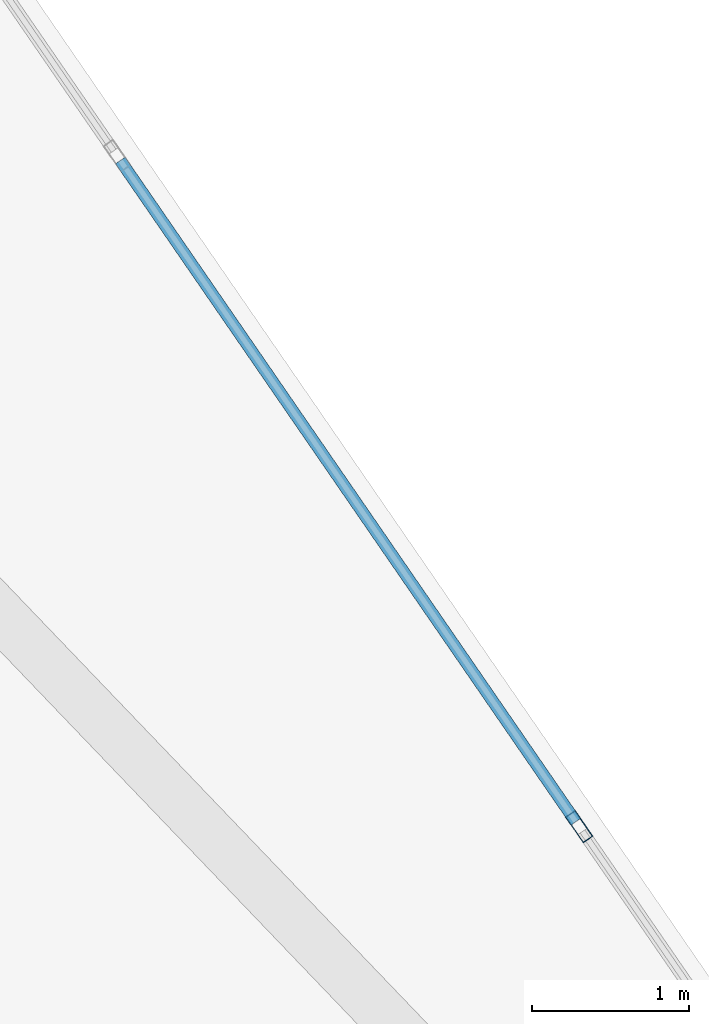
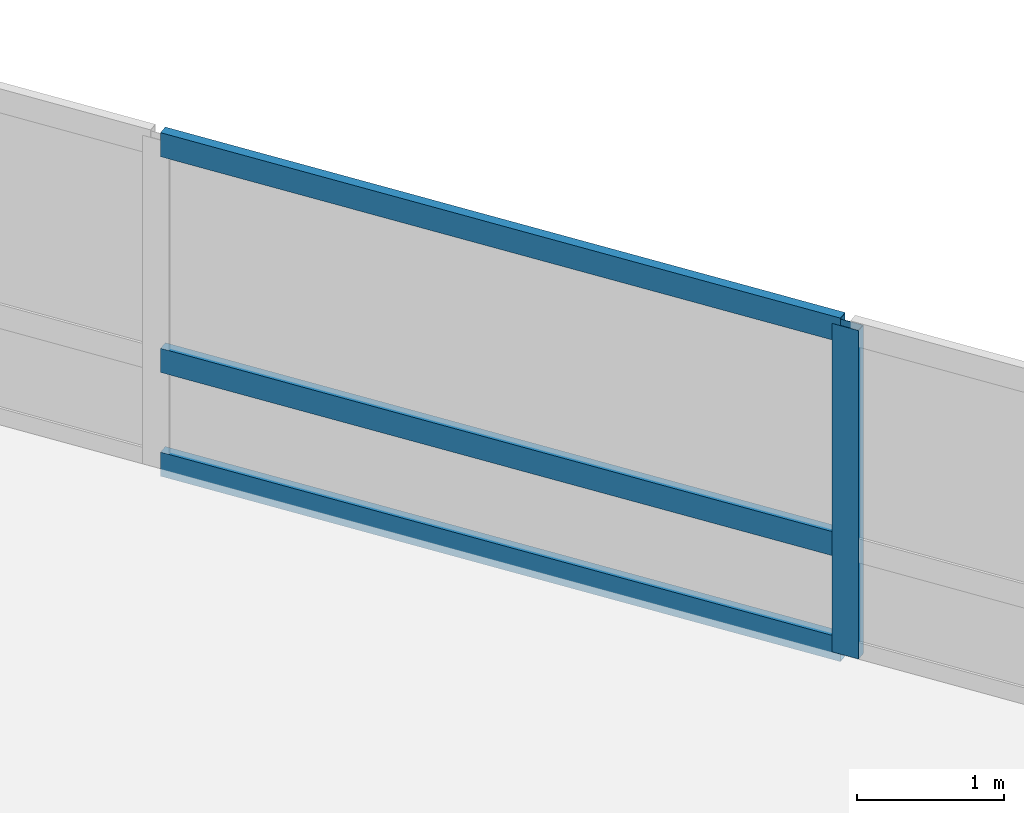
# One storey, part 8 of 22: 4 members, 1 element without a shape of its own.
"""IFC4 building model written with IfcOpenShell, lengths in metres."""

import ifcopenshell
import ifcopenshell.guid

model = None  # the IFC model being written
_history = None  # IfcOwnerHistory: only IFC2X3 demands one
_inside = {}  # id of a spatial element -> (the spatial element, [elements in it])
_under = {}  # id of a project, library or spatial element -> (it, [spatial elements below it])
_declared = {}  # id of a project -> (the project, [libraries it declares])
_typed = {}  # id of a type object -> (the type object, [elements of that type])
_made_of = {}  # id of a material, layer set ... -> (it, [elements and type objects made of it])


def new_model(schema):
    """Start an empty IFC model of exactly this schema.

    Asked for "IFC4X3", IfcOpenShell would pick the latest addendum, in which some entities
    have other attributes; the version numbers below select the first issue.
    IFC2X3 requires an IfcOwnerHistory on every rooted entity: one is made here for all.
    """
    global model, _history
    if schema == "IFC4X3":
        model = ifcopenshell.file(schema_version=(4, 3, 0, 0))
    else:
        model = ifcopenshell.file(schema=schema)
    _inside.clear()
    _under.clear()
    _declared.clear()
    _typed.clear()
    _made_of.clear()
    _history = None
    if model.schema == "IFC2X3":
        org = make("IfcOrganization", Name="unknown")
        user = make(
            "IfcPersonAndOrganization",
            ThePerson=make("IfcPerson", FamilyName="unknown"),
            TheOrganization=org,
        )
        app = make(
            "IfcApplication",
            ApplicationDeveloper=org,
            Version="unknown",
            ApplicationFullName="unknown",
            ApplicationIdentifier="unknown",
        )
        _history = make(
            "IfcOwnerHistory",
            OwningUser=user,
            OwningApplication=app,
            ChangeAction="ADDED",
            CreationDate=0,
        )
    return model


def make(cls, **values):
    """One entity of the class cls with the attributes given. An attribute that is None is left unset."""
    return model.create_entity(
        cls, **{name: value for name, value in values.items() if value is not None}
    )


def rooted(cls, **values):
    """An entity with a GlobalId (a new one), such as an element, a storey or a relation."""
    return make(cls, GlobalId=ifcopenshell.guid.new(), OwnerHistory=_history, **values)


def si_unit(unit_type, name, prefix=None):
    """IfcSIUnit, for example si_unit("LENGTHUNIT", "METRE", prefix="MILLI")."""
    return make("IfcSIUnit", UnitType=unit_type, Prefix=prefix, Name=name)


def assignment(units):
    """IfcUnitAssignment: the units of a project."""
    return None if units is None else make("IfcUnitAssignment", Units=units)


def point(xyz):
    """IfcCartesianPoint."""
    return None if xyz is None else make("IfcCartesianPoint", Coordinates=xyz)


def direction(xyz):
    """IfcDirection."""
    return None if xyz is None else make("IfcDirection", DirectionRatios=xyz)


def frame(location, z_axis=None, x_axis=None):
    """IfcAxis2Placement3D, a coordinate frame: its origin and axes. An axis left out is left unset."""
    return make(
        "IfcAxis2Placement3D",
        Location=point(location),
        Axis=direction(z_axis),
        RefDirection=direction(x_axis),
    )


def frame_2d(location, x_axis=None):
    """IfcAxis2Placement2D, a coordinate frame in the plane: its origin and x axis."""
    return make(
        "IfcAxis2Placement2D", Location=point(location), RefDirection=direction(x_axis)
    )


def origin():
    """The frame at (0, 0, 0) with its axes left unset."""
    return frame((0.0, 0.0, 0.0))


def origin_2d():
    """The frame at (0, 0) in the plane with its x axis left unset."""
    return frame_2d((0.0, 0.0))


def place(relative_to, where):
    """IfcLocalPlacement: puts the frame where relative to a parent placement (None: the world)."""
    return make(
        "IfcLocalPlacement", PlacementRelTo=relative_to, RelativePlacement=where
    )


def context(
    kind, dimensions, precision=None, world=None, true_north=None, identifier=None
):
    """IfcGeometricRepresentationContext, for example the 3D "Model" context."""
    return make(
        "IfcGeometricRepresentationContext",
        ContextIdentifier=identifier,
        ContextType=kind,
        CoordinateSpaceDimension=dimensions,
        Precision=precision,
        WorldCoordinateSystem=world,
        TrueNorth=true_north,
    )


def subcontext(parent, identifier, kind, view, scale=None):
    """IfcGeometricRepresentationSubContext, for example "Body" below "Model"."""
    return make(
        "IfcGeometricRepresentationSubContext",
        ContextIdentifier=identifier,
        ContextType=kind,
        ParentContext=parent,
        TargetScale=scale,
        TargetView=view,
    )


def project(units=None, contexts=None):
    """IfcProject with its units and contexts."""
    return rooted(
        "IfcProject",
        Name="project",
        RepresentationContexts=contexts,
        UnitsInContext=assignment(units),
    )


def spatial(cls, under=None, at=None, **own):
    """A site, building, storey or space (cls), placed at a placement, below another one or the project."""
    s = rooted(cls, ObjectPlacement=at, **own)
    if under is not None:
        _under.setdefault(under.id(), (under, []))[1].append(s)
    return s


def profile(cls, at=None, kind="AREA", **sizes):
    """A parametric profile (cls). Its sizes go by their IFC names, for example OverallWidth=200.0."""
    return make(cls, ProfileType=kind, Position=at, **sizes)


def hollow_rectangle(**sizes):
    """IfcRectangleHollowProfileDef."""
    return profile("IfcRectangleHollowProfileDef", **sizes)


def extrude(swept, where, along, depth):
    """IfcExtrudedAreaSolid: the profile swept, set in the frame where, extruded along a direction by depth."""
    return make(
        "IfcExtrudedAreaSolid",
        SweptArea=swept,
        Position=where,
        ExtrudedDirection=direction(along),
        Depth=depth,
    )


def shape(context_of_items, identifier, shape_type, items):
    """IfcShapeRepresentation: the items that make up one representation, for example the "Body"."""
    return make(
        "IfcShapeRepresentation",
        ContextOfItems=context_of_items,
        RepresentationIdentifier=identifier,
        RepresentationType=shape_type,
        Items=items,
    )


def material(Name=None, Category=None):
    """IfcMaterial."""
    return make("IfcMaterial", Name=Name, Category=Category)


def layer(
    of_material, thickness, ventilated=None, Name=None, Category=None, Priority=None
):
    """IfcMaterialLayer: one layer of a wall or slab, of a material (None: an air gap)."""
    return make(
        "IfcMaterialLayer",
        Material=of_material,
        LayerThickness=thickness,
        IsVentilated=ventilated,
        Name=Name,
        Category=Category,
        Priority=Priority,
    )


def layer_set(layers, Name=None):
    """IfcMaterialLayerSet."""
    return make("IfcMaterialLayerSet", MaterialLayers=layers, LayerSetName=Name)


def material_profile(
    of_material, cross_section, Name=None, Category=None, Priority=None
):
    """IfcMaterialProfile: a cross section and its material."""
    return make(
        "IfcMaterialProfile",
        Name=Name,
        Material=of_material,
        Profile=cross_section,
        Priority=Priority,
        Category=Category,
    )


def profile_set(profiles, Name=None, composite=None):
    """IfcMaterialProfileSet."""
    return make(
        "IfcMaterialProfileSet",
        Name=Name,
        MaterialProfiles=profiles,
        CompositeProfile=composite,
    )


def made_of(thing, what):
    """Note that an element or type object is made of a material, layer set ...; save() writes the relation."""
    if what is not None:
        _made_of.setdefault(what.id(), (what, []))[1].append(thing)
    return thing


def type_object(cls, material=None, **own):
    """A type object (cls), such as IfcWallType, which elements share."""
    return made_of(rooted(cls, **own), material)


def element(
    cls,
    number,
    at=None,
    inside=None,
    cuts=None,
    type_object=None,
    material=None,
    context=None,
    identifier="Body",
    shape_type=None,
    held_by="IfcProductDefinitionShape",
    body=None,
    shapes=None,
    **own,
):
    """One element of the class cls, such as IfcWall. Its Tag is "e" and its number.

    at: its placement. inside: the storey or other place that contains it. cuts: it is an
    opening in that element (IfcRelVoidsElement). A single representation is given by context,
    identifier, shape_type and body (its items); several are given by shapes. held_by: the class
    of the entity that holds the representations. save() writes the other relations.
    """
    e = rooted(cls, Tag="e%d" % number, ObjectPlacement=at, **own)
    if body is not None:
        shapes = [shape(context, identifier, shape_type, body)]
    if shapes is not None:
        e.Representation = make(held_by, Representations=shapes)
    if inside is not None:
        _inside.setdefault(inside.id(), (inside, []))[1].append(e)
    if cuts is not None:
        rooted(
            "IfcRelVoidsElement", RelatingBuildingElement=cuts, RelatedOpeningElement=e
        )
    if type_object is not None:
        _typed.setdefault(type_object.id(), (type_object, []))[1].append(e)
    return made_of(e, material)


def aggregate(whole, parts):
    """IfcRelAggregates: a whole, such as a stair, and the parts it consists of."""
    return rooted("IfcRelAggregates", RelatingObject=whole, RelatedObjects=parts)


def save(model, path):
    """Write the relations noted so far, then the file.

    IfcRelAggregates (storeys below a building ...), IfcRelContainedInSpatialStructure (elements
    in a storey), IfcRelDefinesByType, IfcRelAssociatesMaterial and IfcRelDeclares: one each for
    every whole, place, type object, material and project.
    """
    for whole, parts in _under.values():
        aggregate(whole, parts)
    for where, things in _inside.values():
        rooted(
            "IfcRelContainedInSpatialStructure",
            RelatedElements=things,
            RelatingStructure=where,
        )
    for kind, things in _typed.values():
        rooted("IfcRelDefinesByType", RelatedObjects=things, RelatingType=kind)
    for what, things in _made_of.values():
        rooted("IfcRelAssociatesMaterial", RelatedObjects=things, RelatingMaterial=what)
    for by, libraries in _declared.values():
        rooted("IfcRelDeclares", RelatingContext=by, RelatedDefinitions=libraries)
    model.write(path)


model = new_model("IFC4")

# Units and contexts
model_context = context("Model", 3, precision=1e-05, world=origin(), true_north=direction((0.0, 1.0)))
body_context = subcontext(model_context, "Body", "Model", "MODEL_VIEW")
ifc_project = project(units=[si_unit("LENGTHUNIT", "METRE"), si_unit("AREAUNIT", "SQUARE_METRE"), si_unit("VOLUMEUNIT", "CUBIC_METRE"), si_unit("PLANEANGLEUNIT", "RADIAN"), si_unit("MASSUNIT", "GRAM", prefix="KILO")], contexts=[model_context])

# Site, building, storey
site_placement = place(None, origin())
site = spatial("IfcSite", under=ifc_project, at=site_placement, CompositionType="ELEMENT")
building_placement = place(site_placement, origin())
building = spatial("IfcBuilding", under=site, at=building_placement, Name="Varnelok Gate Tower", CompositionType="ELEMENT")
storey_placement = place(building_placement, frame((0.0, 0.0, 284.10009765625)))
storey = spatial("IfcBuildingStorey", under=building, at=storey_placement, Name="L73", CompositionType="ELEMENT", Elevation=284.10009765625)

# Curtain wall, members
ifc_material = material(Name="Anodized Aluminum Alloy 6063-T6", Category="aluminium")
ifc_layer = layer(ifc_material, 0.179931640625)
ifc_layer_set = layer_set([ifc_layer], Name="Anodized Aluminum Alloy 6063-T6")
curtain_wall_type = type_object("IfcCurtainWallType", Name="CW6-CROWN-LOOKOUT", PredefinedType="USERDEFINED", material=ifc_layer_set)
curtain_wall_placement = place(storey_placement, origin())
curtain_wall = element("IfcCurtainWall", 1, at=curtain_wall_placement, inside=storey, type_object=curtain_wall_type, Name="L73 East End Vision Curtain Wall", ObjectType="STRUCTURAL GLAZING", PredefinedType="USERDEFINED")
ifc_material_profile_1 = material_profile(ifc_material, hollow_rectangle(XDim=0.074951171875, YDim=0.199951171875, WallThickness=0.00390625, at=origin_2d()), Name="ALU200X75X4")
ifc_profile_set_1 = profile_set([ifc_material_profile_1], Name="Anodized Aluminum Alloy 6063-T6")
member_type_1 = type_object("IfcMemberType", Name="CW-MULL-200", PredefinedType="MULLION", material=ifc_profile_set_1)
member_1_placement = place(storey_placement, frame((66.343505859375, 43.997314453125, 0.0), z_axis=(0.0, 0.0, 1.0), x_axis=(0.823532290241, 0.567269395376, 0.0)))
member_1 = element("IfcMember", 2, at=member_1_placement, type_object=member_type_1, Name="CW6 mullion 4", PredefinedType="MULLION", context=body_context, shape_type="SweptSolid", body=[
    extrude(hollow_rectangle(XDim=0.074951171875, YDim=0.199951171875, WallThickness=0.00390625, at=origin_2d()), origin(), (0.0, 0.0, 1.0), 2.72998046875),
])
ifc_material_profile_2 = material_profile(ifc_material, hollow_rectangle(XDim=0.074951171875, YDim=0.199951171875, WallThickness=0.00390625, at=origin_2d()), Name="ALU200X75X4")
ifc_profile_set_2 = profile_set([ifc_material_profile_2], Name="Anodized Aluminum Alloy 6063-T6")
member_type_2 = type_object("IfcMemberType", Name="CW-TRAN-200", PredefinedType="USERDEFINED", material=ifc_profile_set_2)
member_2_placement = place(storey_placement, frame((63.4150390625, 48.248779296875, 0.037353515625), z_axis=(0.567256418128, -0.82354122914, 0.0), x_axis=(0.82354122914, 0.567256418128, 0.0)))
member_2 = element("IfcMember", 3, at=member_2_placement, type_object=member_type_2, Name="CW6 transom 3.1", ObjectType="TRANSOM", PredefinedType="USERDEFINED", context=body_context, shape_type="SweptSolid", body=[
    extrude(hollow_rectangle(XDim=0.074951171875, YDim=0.199951171875, WallThickness=0.00390625, at=origin_2d()), origin(), (0.0, 0.0, 1.0), 5.125),
])
member_3_placement = place(storey_placement, frame((63.4150390625, 48.248779296875, 0.89990234375), z_axis=(0.567256418128, -0.82354122914, 0.0), x_axis=(0.82354122914, 0.567256418128, 0.0)))
member_3 = element("IfcMember", 4, at=member_3_placement, type_object=member_type_2, Name="CW6 transom 3.2", ObjectType="TRANSOM", PredefinedType="USERDEFINED", context=body_context, shape_type="SweptSolid", body=[
    extrude(hollow_rectangle(XDim=0.074951171875, YDim=0.199951171875, WallThickness=0.00390625, at=origin_2d()), origin(), (0.0, 0.0, 1.0), 5.125),
])
member_4_placement = place(storey_placement, frame((63.4150390625, 48.248779296875, 2.6923828125), z_axis=(0.567256418128, -0.82354122914, 0.0), x_axis=(0.82354122914, 0.567256418128, 0.0)))
member_4 = element("IfcMember", 5, at=member_4_placement, type_object=member_type_2, Name="CW6 transom 3.3", ObjectType="TRANSOM", PredefinedType="USERDEFINED", context=body_context, shape_type="SweptSolid", body=[
    extrude(hollow_rectangle(XDim=0.074951171875, YDim=0.199951171875, WallThickness=0.00390625, at=origin_2d()), origin(), (0.0, 0.0, 1.0), 5.125),
])
aggregate(curtain_wall, [member_1, member_2, member_3, member_4])

save(model, "model.ifc")
